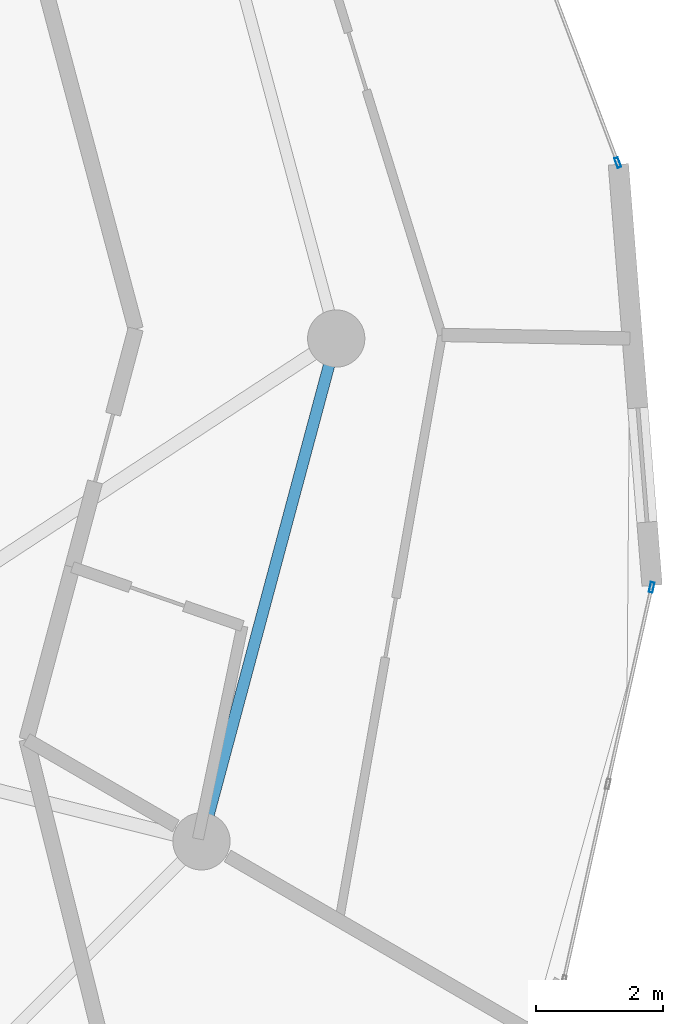
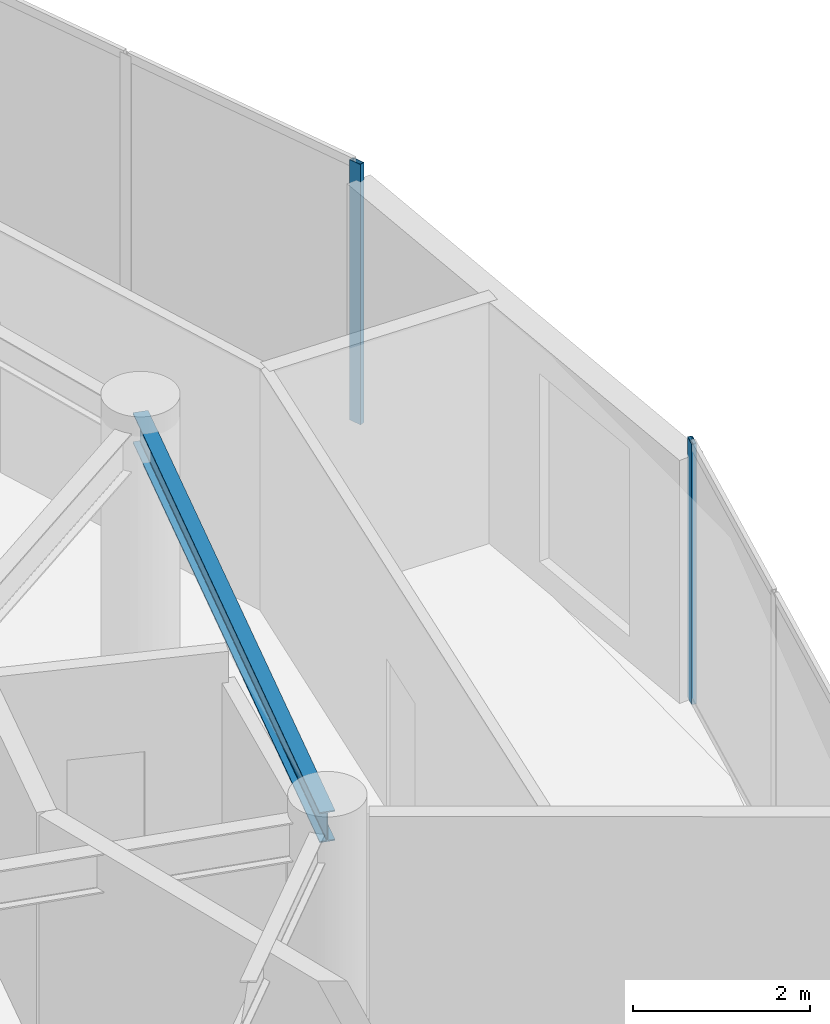
# One storey, part 11 of 20: 2 members, 1 beam, 2 elements without a shape of their own.
"""IFC4 building model written with IfcOpenShell, lengths in metres."""

from ifc_helpers import new_model, si_unit, direction, frame, origin, origin_2d, place, context, subcontext, project, spatial, hollow_rectangle, i_section, extrude, source, transform, mapped, material, layer, layer_set, material_profile, profile_set, type_object, element, aggregate, save


model = new_model("IFC4")

# Units and contexts
model_context = context("Model", 3, precision=1e-05, world=origin(), true_north=direction((0.0, 1.0)))
body_context = subcontext(model_context, "Body", "Model", "MODEL_VIEW")
ifc_project = project(units=[si_unit("LENGTHUNIT", "METRE"), si_unit("AREAUNIT", "SQUARE_METRE"), si_unit("VOLUMEUNIT", "CUBIC_METRE"), si_unit("PLANEANGLEUNIT", "RADIAN"), si_unit("MASSUNIT", "GRAM", prefix="KILO")], contexts=[model_context])

# Site, building, storey
site_placement = place(None, origin())
site = spatial("IfcSite", under=ifc_project, at=site_placement, CompositionType="ELEMENT")
building_placement = place(site_placement, origin())
building = spatial("IfcBuilding", under=site, at=building_placement, Name="Solvirekh Grand Hotel", CompositionType="ELEMENT")
storey_placement = place(building_placement, frame((0.0, 0.0, 194.800048828125)))
storey = spatial("IfcBuildingStorey", under=building, at=storey_placement, Name="L50", CompositionType="ELEMENT", Elevation=194.800048828125)

# Beam
ifc_material_1 = material(Name="Steel S355", Category="steel")
ifc_material_profile_1 = material_profile(ifc_material_1, i_section(OverallWidth=0.180908203125, OverallDepth=0.4169921875, WebThickness=0.010009765625, FlangeThickness=0.01611328125, FilletRadius=0.011962890625, at=origin_2d()), Name="W410X85")
ifc_profile_set_1 = profile_set([ifc_material_profile_1], Name="Steel S355")
beam_type = type_object("IfcBeamType", Name="Spandrel_Ring_W410", PredefinedType="SPANDREL", material=ifc_profile_set_1)
beam_placement = place(storey_placement, frame((13.68310546875, -7.89990234375, 3.15185546875), z_axis=(0.258838541915, 0.965920601923, 0.0), x_axis=(-0.965920601923, 0.258838541915, 0.0)))
element("IfcBeam", 1, at=beam_placement, inside=storey, type_object=beam_type, Name="L50 perimeter spandrel beam 12", PredefinedType="SPANDREL", context=body_context, shape_type="SweptSolid", body=[
    extrude(i_section(OverallWidth=0.180908203125, OverallDepth=0.4169921875, WebThickness=0.010009765625, FlangeThickness=0.01611328125, FilletRadius=0.011962890625, at=origin_2d()), origin(), (0.0, 0.0, 1.0), 8.1787109375),
])

# Curtain wall, member
ifc_material_2 = material(Name="Anodized Bronze Aluminium 6063-T6", Category="aluminium")
ifc_layer = layer(ifc_material_2, 0.159912109375)
ifc_layer_set = layer_set([ifc_layer], Name="Anodized Bronze Aluminium 6063-T6")
curtain_wall_type = type_object("IfcCurtainWallType", Name="CW_Sys4_HighZoneFlushBronzeCW", PredefinedType="NOTDEFINED", material=ifc_layer_set)
curtain_wall_1_placement = place(storey_placement, origin())
curtain_wall_1 = element("IfcCurtainWall", 2, at=curtain_wall_1_placement, inside=storey, type_object=curtain_wall_type, Name="L50 unitised bronze-glass curtain wall CW-L50-C03", PredefinedType="NOTDEFINED")
ifc_material_profile_2 = material_profile(ifc_material_2, hollow_rectangle(XDim=0.06005859375, YDim=0.159912109375, WallThickness=0.0048828125, at=origin_2d()), Name="ALU RHS 160X60X5")
ifc_profile_set_2 = profile_set([ifc_material_profile_2], Name="Anodized Bronze Aluminium 6063-T6")
member_type = type_object("IfcMemberType", Name="CWMullion_Sys4", PredefinedType="MULLION", material=ifc_profile_set_2)
shared_shape = source(origin(), body_context, "Body", "SweptSolid", [
    extrude(hollow_rectangle(XDim=0.06005859375, YDim=0.159912109375, WallThickness=0.0048828125, at=origin_2d()), origin(), (0.0, 0.0, 1.0), 3.599853515625),
])
member_1_placement = place(storey_placement, frame((20.75634765625, -3.9091796875, 0.0), z_axis=(0.0, 0.0, 1.0), x_axis=(-0.975980397521, 0.217858356861, 0.0)))
member_1 = element("IfcMember", 3, at=member_1_placement, type_object=member_type, Name="U04 mullion 3", PredefinedType="MULLION", context=body_context, shape_type="MappedRepresentation", body=[
    mapped(shared_shape, transform((0.0, 0.0, 0.0), x_axis=(1.0, 0.0, 0.0), y_axis=(0.0, 1.0, 0.0), z_axis=(0.0, 0.0, 1.0), scale=1.0)),
])
aggregate(curtain_wall_1, [member_1])

curtain_wall_2_placement = place(storey_placement, origin())
curtain_wall_2 = element("IfcCurtainWall", 4, at=curtain_wall_2_placement, inside=storey, type_object=curtain_wall_type, Name="L50 unitised bronze-glass curtain wall CW-L50-C05", PredefinedType="NOTDEFINED")
member_2_placement = place(storey_placement, frame((20.223388671875, 2.76416015625, 0.0), z_axis=(0.0, 0.0, 1.0), x_axis=(-0.935557615208, -0.353174105261, 0.0)))
member_2 = element("IfcMember", 5, at=member_2_placement, type_object=member_type, Name="U04 mullion 1", PredefinedType="MULLION", context=body_context, shape_type="MappedRepresentation", body=[
    mapped(shared_shape, transform((0.0, 0.0, 0.0), x_axis=(1.0, 0.0, 0.0), y_axis=(0.0, 1.0, 0.0), z_axis=(0.0, 0.0, 1.0), scale=1.0)),
])
aggregate(curtain_wall_2, [member_2])

save(model, "model.ifc")
